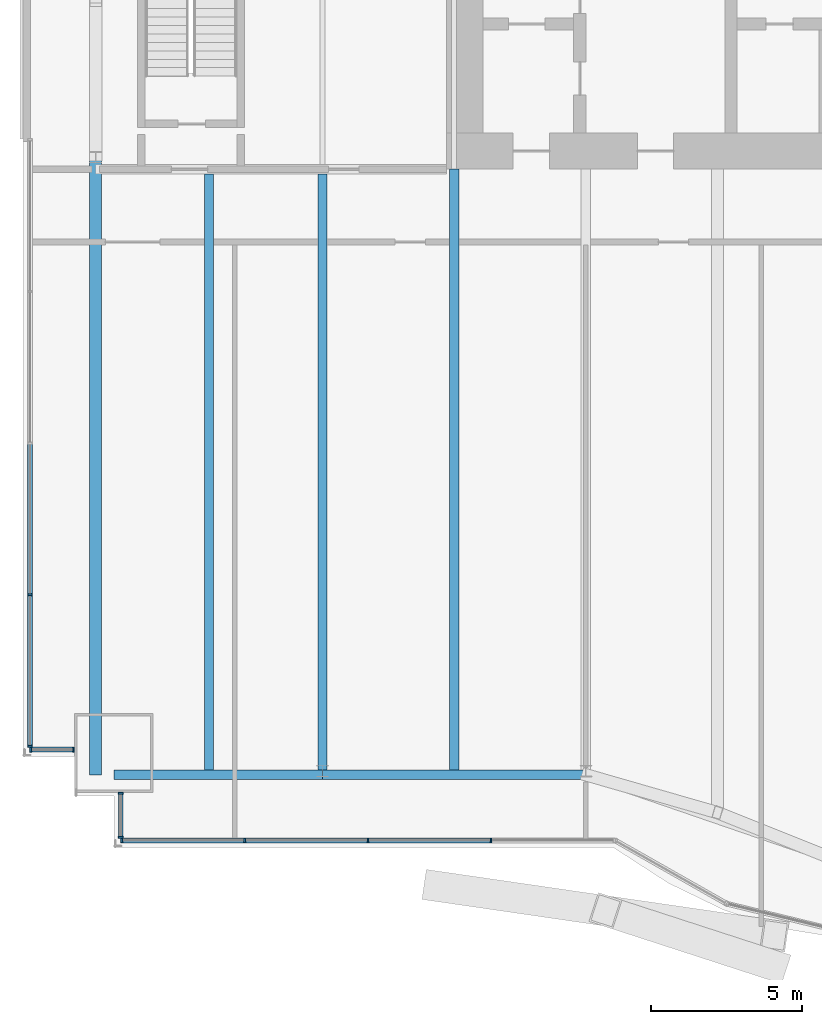
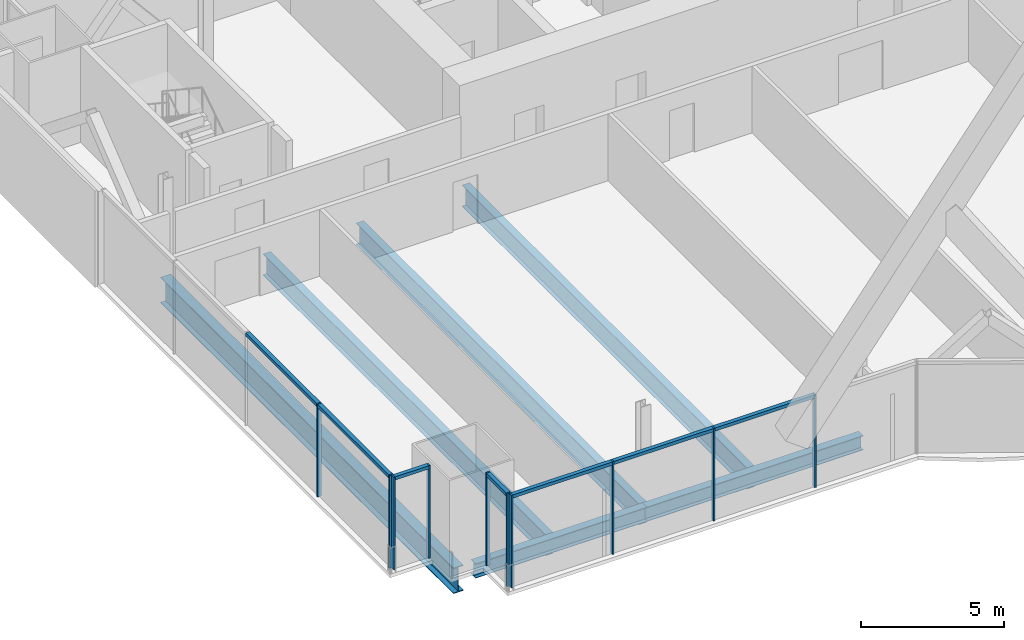
# One storey, part 5 of 23: 17 members, 6 beams, 4 elements without a shape of their own.
"""IFC4 building model written with IfcOpenShell, lengths in metres."""

from ifc_helpers import new_model, si_unit, direction, frame, origin, origin_2d, place, context, subcontext, project, spatial, rectangle, i_section, extrude, material, material_profile, profile_set, type_object, element, aggregate, save


model = new_model("IFC4")

# Units and contexts
model_context = context("Model", 3, precision=1e-05, world=origin(), true_north=direction((0.0, 1.0)))
body_context = subcontext(model_context, "Body", "Model", "MODEL_VIEW")
ifc_project = project(units=[si_unit("LENGTHUNIT", "METRE"), si_unit("AREAUNIT", "SQUARE_METRE"), si_unit("VOLUMEUNIT", "CUBIC_METRE"), si_unit("PLANEANGLEUNIT", "RADIAN"), si_unit("MASSUNIT", "GRAM", prefix="KILO")], contexts=[model_context])

# Site, building, storey
site_placement = place(None, origin())
site = spatial("IfcSite", under=ifc_project, at=site_placement, CompositionType="ELEMENT")
building_placement = place(site_placement, origin())
building = spatial("IfcBuilding", under=site, at=building_placement, Name="Bicima Exchange Tower", CompositionType="ELEMENT")
storey_placement = place(building_placement, frame((0.0, 0.0, 152.699951171875)))
storey = spatial("IfcBuildingStorey", under=building, at=storey_placement, Name="L33", CompositionType="ELEMENT", Elevation=152.699951171875)

# Curtain wall, members
ifc_material_1 = material(Name="Anodised bronze aluminium", Category="aluminium")
curtain_wall_type_1 = type_object("IfcCurtainWallType", Name="End face glass wall", PredefinedType="NOTDEFINED", material=ifc_material_1)
curtain_wall_1_placement = place(storey_placement, origin())
curtain_wall_1 = element("IfcCurtainWall", 1, at=curtain_wall_1_placement, inside=storey, type_object=curtain_wall_type_1, Name="End face glass wall L33 run 2", PredefinedType="NOTDEFINED")
ifc_material_profile_1 = material_profile(ifc_material_1, rectangle(XDim=0.159912109375, YDim=0.06005859375, at=origin_2d()))
ifc_profile_set_1 = profile_set([ifc_material_profile_1], Name="Anodised bronze aluminium")
member_type_1 = type_object("IfcMemberType", Name="End face glass wall mullion 60 x 160", PredefinedType="MULLION", material=ifc_profile_set_1)
member_1_placement = place(storey_placement, frame((-35.77001953125, -27.0615234375, 0.0), z_axis=(0.0, 0.0, 1.0), x_axis=(1.0, 0.0, 0.0)))
member_1 = element("IfcMember", 2, at=member_1_placement, type_object=member_type_1, Name="End face glass wall mullion 4", PredefinedType="MULLION", context=body_context, shape_type="SweptSolid", body=[
    extrude(rectangle(XDim=0.159912109375, YDim=0.06005859375, at=origin_2d()), origin(), (0.0, 0.0, 1.0), 3.949951171875),
])
member_2_placement = place(storey_placement, frame((-35.77001953125, -32.072021484375, 0.0), z_axis=(0.0, 0.0, 1.0), x_axis=(1.0, 0.0, 0.0)))
member_2 = element("IfcMember", 3, at=member_2_placement, type_object=member_type_1, Name="End face glass wall mullion 5", PredefinedType="MULLION", context=body_context, shape_type="SweptSolid", body=[
    extrude(rectangle(XDim=0.159912109375, YDim=0.06005859375, at=origin_2d()), origin(), (0.0, 0.0, 1.0), 3.949951171875),
])
ifc_material_profile_2 = material_profile(ifc_material_1, rectangle(XDim=0.159912109375, YDim=0.139892578125, at=origin_2d()))
ifc_profile_set_2 = profile_set([ifc_material_profile_2], Name="Anodised bronze aluminium")
member_type_2 = type_object("IfcMemberType", Name="End face glass wall transom 140 x 160", PredefinedType="USERDEFINED", material=ifc_profile_set_2)
member_3_placement = place(storey_placement, frame((-35.77001953125, -22.0810546875, 3.880126953125), z_axis=(0.0, -1.0, 0.0), x_axis=(1.0, 0.0, 0.0)))
member_3 = element("IfcMember", 4, at=member_3_placement, type_object=member_type_2, Name="End face glass wall transom 3.1", ObjectType="TRANSOM", PredefinedType="USERDEFINED", context=body_context, shape_type="SweptSolid", body=[
    extrude(rectangle(XDim=0.159912109375, YDim=0.139892578125, at=origin_2d()), origin(), (0.0, 0.0, 1.0), 4.950439453125),
])
member_4_placement = place(storey_placement, frame((-35.77001953125, -27.091552734375, 3.880126953125), z_axis=(0.0, -1.0, 0.0), x_axis=(1.0, 0.0, 0.0)))
member_4 = element("IfcMember", 5, at=member_4_placement, type_object=member_type_2, Name="End face glass wall transom 4.1", ObjectType="TRANSOM", PredefinedType="USERDEFINED", context=body_context, shape_type="SweptSolid", body=[
    extrude(rectangle(XDim=0.159912109375, YDim=0.139892578125, at=origin_2d()), origin(), (0.0, 0.0, 1.0), 4.950439453125),
])
aggregate(curtain_wall_1, [member_1, member_2, member_3, member_4])

# Beams
ifc_material_2 = material(Name="Steel ASTM A992 Gr 50", Category="steel")
ifc_material_profile_3 = material_profile(ifc_material_2, i_section(OverallWidth=0.4013671875, OverallDepth=1.089599609375, WebThickness=0.01806640625, FlangeThickness=0.031005859375, at=origin_2d()))
ifc_profile_set_3 = profile_set([ifc_material_profile_3], Name="Steel ASTM A992 Gr 50")
beam_type_1 = type_object("IfcBeamType", Name="End girder W44x230", PredefinedType="BEAM", material=ifc_profile_set_3)
beam_1_placement = place(storey_placement, frame((-33.60009765625, -12.60009765625, -0.69482421875), z_axis=(0.0, -1.0, 0.0), x_axis=(1.0, 0.0, 0.0)))
element("IfcBeam", 6, at=beam_1_placement, inside=storey, type_object=beam_type_1, Name="End girder", PredefinedType="BEAM", context=body_context, shape_type="SweptSolid", body=[
    extrude(i_section(OverallWidth=0.4013671875, OverallDepth=1.089599609375, WebThickness=0.01806640625, FlangeThickness=0.031005859375, at=origin_2d()), origin(), (0.0, 0.0, 1.0), 20.411865234375),
])
ifc_material_profile_4 = material_profile(ifc_material_2, i_section(OverallWidth=0.3046875, OverallDepth=0.904296875, WebThickness=0.01513671875, FlangeThickness=0.02001953125, at=origin_2d()))
ifc_profile_set_4 = profile_set([ifc_material_profile_4], Name="Steel ASTM A992 Gr 50")
beam_type_2 = type_object("IfcBeamType", Name="Floor beam W36x135", PredefinedType="JOIST", material=ifc_profile_set_4)
for number, where, z_axis, x_axis, name in (
    (7, (-29.85009765625, -13.15234375, -0.60205078125), (0.0, -1.0, 0.0), (1.0, 0.0, 0.0), "Floor beam"),
    (8, (-26.10009765625, -13.15234375, -0.60205078125), (0.0, -1.0, 0.0), (1.0, 0.0, 0.0), "Floor beam"),
):
    element("IfcBeam", number, at=place(storey_placement, frame(where, z_axis=z_axis, x_axis=x_axis)), inside=storey, type_object=beam_type_2, Name=name, PredefinedType="JOIST", context=body_context, shape_type="SweptSolid", body=[
        extrude(i_section(OverallWidth=0.3046875, OverallDepth=0.904296875, WebThickness=0.01513671875, FlangeThickness=0.02001953125, at=origin_2d()), origin(), (0.0, 0.0, 1.0), 19.697021484375),
    ])
beam_2_placement = place(storey_placement, frame((-21.75, -13.0, -0.60205078125), z_axis=(0.0, -1.0, 0.0), x_axis=(1.0, 0.0, 0.0)))
element("IfcBeam", 9, at=beam_2_placement, inside=storey, type_object=beam_type_2, Name="Floor beam", PredefinedType="JOIST", context=body_context, shape_type="SweptSolid", body=[
    extrude(i_section(OverallWidth=0.3046875, OverallDepth=0.904296875, WebThickness=0.01513671875, FlangeThickness=0.02001953125, at=origin_2d()), origin(), (0.0, 0.0, 1.0), 19.849365234375),
])
ifc_material_profile_5 = material_profile(ifc_material_2, i_section(OverallWidth=0.3251953125, OverallDepth=0.612060546875, WebThickness=0.0126953125, FlangeThickness=0.01904296875, at=origin_2d()))
ifc_profile_set_5 = profile_set([ifc_material_profile_5], Name="Steel ASTM A992 Gr 50")
beam_type_3 = type_object("IfcBeamType", Name="Front girder W24x104", PredefinedType="BEAM", material=ifc_profile_set_5)
beam_3_placement = place(storey_placement, frame((-33.0, -33.011962890625, -0.4560546875), z_axis=(1.0, 0.0, 0.0), x_axis=(0.0, 1.0, 0.0)))
element("IfcBeam", 10, at=beam_3_placement, inside=storey, type_object=beam_type_3, Name="Front girder", PredefinedType="BEAM", context=body_context, shape_type="SweptSolid", body=[
    extrude(i_section(OverallWidth=0.3251953125, OverallDepth=0.612060546875, WebThickness=0.0126953125, FlangeThickness=0.01904296875, at=origin_2d()), origin(), (0.0, 0.0, 1.0), 6.89990234375),
])
beam_4_placement = place(storey_placement, frame((-26.10009765625, -33.011962890625, -0.4560546875), z_axis=(1.0, 0.0, 0.0), x_axis=(0.0, 1.0, 0.0)))
element("IfcBeam", 11, at=beam_4_placement, inside=storey, type_object=beam_type_3, Name="Front girder", PredefinedType="BEAM", context=body_context, shape_type="SweptSolid", body=[
    extrude(i_section(OverallWidth=0.3251953125, OverallDepth=0.612060546875, WebThickness=0.0126953125, FlangeThickness=0.01904296875, at=origin_2d()), origin(), (0.0, 0.0, 1.0), 8.7001953125),
])

# Curtain wall, members
curtain_wall_type_2 = type_object("IfcCurtainWallType", Name="Front glass wall", PredefinedType="NOTDEFINED", material=ifc_material_1)
curtain_wall_2_placement = place(storey_placement, origin())
curtain_wall_2 = element("IfcCurtainWall", 12, at=curtain_wall_2_placement, inside=storey, type_object=curtain_wall_type_2, Name="Front glass wall L33 run 3", PredefinedType="NOTDEFINED")
member_type_3 = type_object("IfcMemberType", Name="Front glass wall mullion 60 x 160", PredefinedType="MULLION", material=ifc_profile_set_1)
member_5_placement = place(storey_placement, frame((-35.739990234375, -32.181884765625, 0.0), z_axis=(0.0, 0.0, 1.0), x_axis=(0.0, 1.0, 0.0)))
member_5 = element("IfcMember", 13, at=member_5_placement, type_object=member_type_3, Name="Front glass wall mullion 1", PredefinedType="MULLION", context=body_context, shape_type="SweptSolid", body=[
    extrude(rectangle(XDim=0.159912109375, YDim=0.06005859375, at=origin_2d()), origin(), (0.0, 0.0, 1.0), 3.949951171875),
])
member_6_placement = place(storey_placement, frame((-34.330078125, -32.181884765625, 0.0), z_axis=(0.0, 0.0, 1.0), x_axis=(0.0, 1.0, 0.0)))
member_6 = element("IfcMember", 14, at=member_6_placement, type_object=member_type_3, Name="Front glass wall mullion 2", PredefinedType="MULLION", context=body_context, shape_type="SweptSolid", body=[
    extrude(rectangle(XDim=0.159912109375, YDim=0.06005859375, at=origin_2d()), origin(), (0.0, 0.0, 1.0), 3.949951171875),
])

curtain_wall_3_placement = place(storey_placement, origin())
curtain_wall_3 = element("IfcCurtainWall", 15, at=curtain_wall_3_placement, inside=storey, type_object=curtain_wall_type_2, Name="Front glass wall L33 run 4", PredefinedType="NOTDEFINED")
member_7_placement = place(storey_placement, frame((-32.77001953125, -33.6201171875, 0.0), z_axis=(0.0, 0.0, 1.0), x_axis=(1.0, 0.0, 0.0)))
member_7 = element("IfcMember", 16, at=member_7_placement, type_object=member_type_3, Name="Front glass wall mullion 1", PredefinedType="MULLION", context=body_context, shape_type="SweptSolid", body=[
    extrude(rectangle(XDim=0.159912109375, YDim=0.06005859375, at=origin_2d()), origin(), (0.0, 0.0, 1.0), 3.949951171875),
])
member_8_placement = place(storey_placement, frame((-32.77001953125, -35.072021484375, 0.0), z_axis=(0.0, 0.0, 1.0), x_axis=(1.0, 0.0, 0.0)))
member_8 = element("IfcMember", 17, at=member_8_placement, type_object=member_type_3, Name="Front glass wall mullion 2", PredefinedType="MULLION", context=body_context, shape_type="SweptSolid", body=[
    extrude(rectangle(XDim=0.159912109375, YDim=0.06005859375, at=origin_2d()), origin(), (0.0, 0.0, 1.0), 3.949951171875),
])

curtain_wall_4_placement = place(storey_placement, origin())
curtain_wall_4 = element("IfcCurtainWall", 18, at=curtain_wall_4_placement, inside=storey, type_object=curtain_wall_type_2, Name="Front glass wall L33 run 5", PredefinedType="NOTDEFINED")
member_9_placement = place(storey_placement, frame((-32.739990234375, -35.181884765625, 0.0), z_axis=(0.0, 0.0, 1.0), x_axis=(0.0, 1.0, 0.0)))
member_9 = element("IfcMember", 19, at=member_9_placement, type_object=member_type_3, Name="Front glass wall mullion 1", PredefinedType="MULLION", context=body_context, shape_type="SweptSolid", body=[
    extrude(rectangle(XDim=0.159912109375, YDim=0.06005859375, at=origin_2d()), origin(), (0.0, 0.0, 1.0), 3.949951171875),
])
member_10_placement = place(storey_placement, frame((-28.67041015625, -35.181884765625, 0.0), z_axis=(0.0, 0.0, 1.0), x_axis=(0.0, 1.0, 0.0)))
member_10 = element("IfcMember", 20, at=member_10_placement, type_object=member_type_3, Name="Front glass wall mullion 2", PredefinedType="MULLION", context=body_context, shape_type="SweptSolid", body=[
    extrude(rectangle(XDim=0.159912109375, YDim=0.06005859375, at=origin_2d()), origin(), (0.0, 0.0, 1.0), 3.949951171875),
])
member_11_placement = place(storey_placement, frame((-24.60107421875, -35.181884765625, 0.0), z_axis=(0.0, 0.0, 1.0), x_axis=(0.0, 1.0, 0.0)))
member_11 = element("IfcMember", 21, at=member_11_placement, type_object=member_type_3, Name="Front glass wall mullion 3", PredefinedType="MULLION", context=body_context, shape_type="SweptSolid", body=[
    extrude(rectangle(XDim=0.159912109375, YDim=0.06005859375, at=origin_2d()), origin(), (0.0, 0.0, 1.0), 3.949951171875),
])
member_12_placement = place(storey_placement, frame((-20.531494140625, -35.181884765625, 0.0), z_axis=(0.0, 0.0, 1.0), x_axis=(0.0, 1.0, 0.0)))
member_12 = element("IfcMember", 22, at=member_12_placement, type_object=member_type_3, Name="Front glass wall mullion 4", PredefinedType="MULLION", context=body_context, shape_type="SweptSolid", body=[
    extrude(rectangle(XDim=0.159912109375, YDim=0.06005859375, at=origin_2d()), origin(), (0.0, 0.0, 1.0), 3.949951171875),
])

# Member
member_type_4 = type_object("IfcMemberType", Name="Front glass wall transom 140 x 160", PredefinedType="USERDEFINED", material=ifc_profile_set_2)
member_13_placement = place(storey_placement, frame((-35.7099609375, -32.181884765625, 3.880126953125), z_axis=(1.0, 0.0, 0.0), x_axis=(0.0, 1.0, 0.0)))
member_13 = element("IfcMember", 23, at=member_13_placement, type_object=member_type_4, Name="Front glass wall transom 1.1", ObjectType="TRANSOM", PredefinedType="USERDEFINED", context=body_context, shape_type="SweptSolid", body=[
    extrude(rectangle(XDim=0.159912109375, YDim=0.139892578125, at=origin_2d()), origin(), (0.0, 0.0, 1.0), 1.349853515625),
])

aggregate(curtain_wall_2, [member_5, member_6, member_13])

member_14_placement = place(storey_placement, frame((-32.77001953125, -33.64990234375, 3.880126953125), z_axis=(0.0, -1.0, 0.0), x_axis=(1.0, 0.0, 0.0)))
member_14 = element("IfcMember", 24, at=member_14_placement, type_object=member_type_4, Name="Front glass wall transom 1.1", ObjectType="TRANSOM", PredefinedType="USERDEFINED", context=body_context, shape_type="SweptSolid", body=[
    extrude(rectangle(XDim=0.159912109375, YDim=0.139892578125, at=origin_2d()), origin(), (0.0, 0.0, 1.0), 1.39208984375),
])

aggregate(curtain_wall_3, [member_7, member_8, member_14])

member_15_placement = place(storey_placement, frame((-32.7099609375, -35.181884765625, 3.880126953125), z_axis=(1.0, 0.0, 0.0), x_axis=(0.0, 1.0, 0.0)))
member_15 = element("IfcMember", 25, at=member_15_placement, type_object=member_type_4, Name="Front glass wall transom 1.1", ObjectType="TRANSOM", PredefinedType="USERDEFINED", context=body_context, shape_type="SweptSolid", body=[
    extrude(rectangle(XDim=0.159912109375, YDim=0.139892578125, at=origin_2d()), origin(), (0.0, 0.0, 1.0), 4.009521484375),
])

member_16_placement = place(storey_placement, frame((-28.640380859375, -35.181884765625, 3.880126953125), z_axis=(1.0, 0.0, 0.0), x_axis=(0.0, 1.0, 0.0)))
member_16 = element("IfcMember", 26, at=member_16_placement, type_object=member_type_4, Name="Front glass wall transom 2.1", ObjectType="TRANSOM", PredefinedType="USERDEFINED", context=body_context, shape_type="SweptSolid", body=[
    extrude(rectangle(XDim=0.159912109375, YDim=0.139892578125, at=origin_2d()), origin(), (0.0, 0.0, 1.0), 4.00927734375),
])

member_17_placement = place(storey_placement, frame((-24.571044921875, -35.181884765625, 3.880126953125), z_axis=(1.0, 0.0, 0.0), x_axis=(0.0, 1.0, 0.0)))
member_17 = element("IfcMember", 27, at=member_17_placement, type_object=member_type_4, Name="Front glass wall transom 3.1", ObjectType="TRANSOM", PredefinedType="USERDEFINED", context=body_context, shape_type="SweptSolid", body=[
    extrude(rectangle(XDim=0.159912109375, YDim=0.139892578125, at=origin_2d()), origin(), (0.0, 0.0, 1.0), 4.009521484375),
])

aggregate(curtain_wall_4, [member_9, member_10, member_11, member_12, member_15, member_16, member_17])

save(model, "model.ifc")
